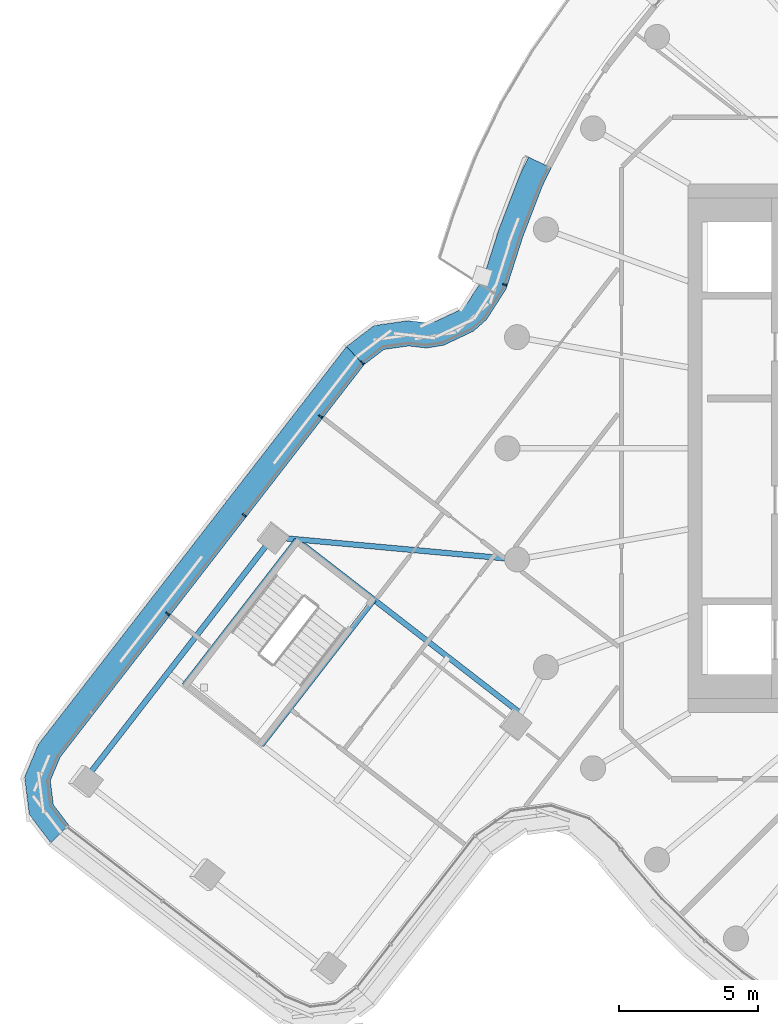
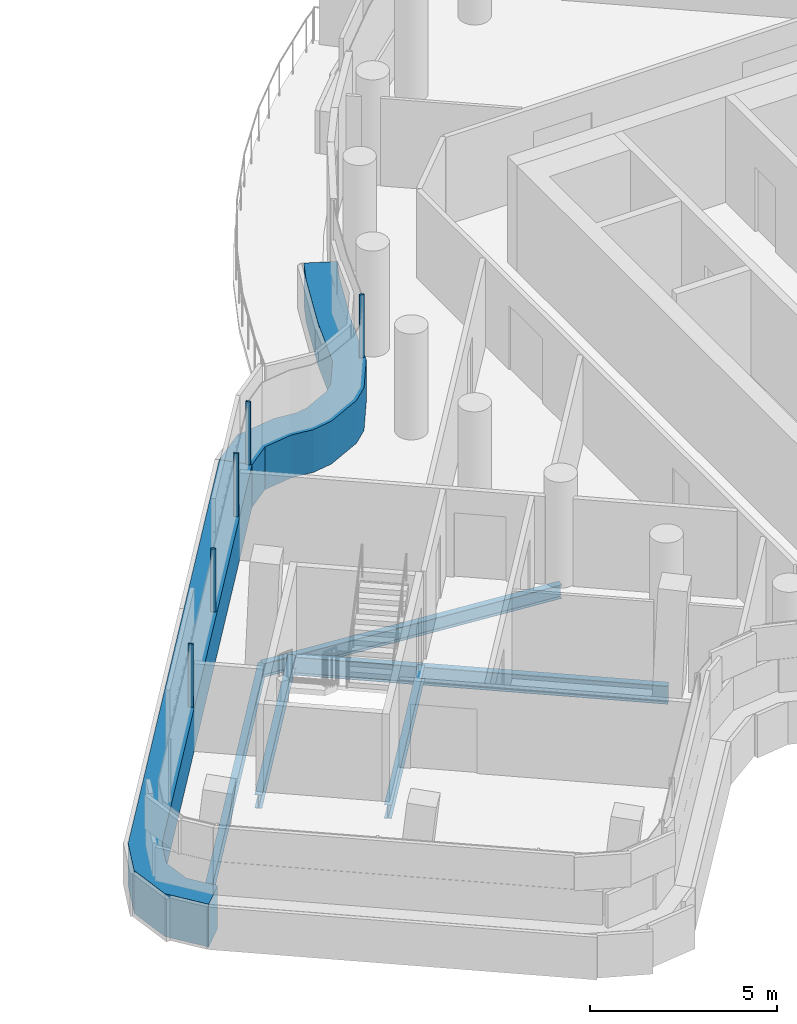
# One storey, part 4 of 26: 7 members, 5 beams, 2 elements without a shape of their own.
"""IFC4 building model written with IfcOpenShell, lengths in metres."""

from ifc_helpers import new_model, si_unit, direction, frame, origin, origin_2d, place, context, subcontext, project, spatial, polyline, rectangle, i_section, outline, extrude, material, layer, layer_set, material_profile, profile_set, type_object, element, aggregate, save


model = new_model("IFC4")

# Units and contexts
model_context = context("Model", 3, precision=1e-05, world=origin(), true_north=direction((0.0, 1.0)))
body_context = subcontext(model_context, "Body", "Model", "MODEL_VIEW")
ifc_project = project(units=[si_unit("LENGTHUNIT", "METRE"), si_unit("AREAUNIT", "SQUARE_METRE"), si_unit("VOLUMEUNIT", "CUBIC_METRE"), si_unit("PLANEANGLEUNIT", "RADIAN"), si_unit("MASSUNIT", "GRAM", prefix="KILO")], contexts=[model_context])

# Site, building, storey
site_placement = place(None, origin())
site = spatial("IfcSite", under=ifc_project, at=site_placement, CompositionType="ELEMENT")
building_placement = place(site_placement, origin())
building = spatial("IfcBuilding", under=site, at=building_placement, Name="Tamarind Cross Interchange Tower", CompositionType="ELEMENT")
storey_placement = place(building_placement, frame((0.0, 0.0, 223.5)))
storey = spatial("IfcBuildingStorey", under=building, at=storey_placement, Name="L56", CompositionType="ELEMENT", Elevation=223.5)

# Beams
ifc_material_1 = material(Name="Steel Q355B", Category="steel")
ifc_material_profile_1 = material_profile(ifc_material_1, i_section(OverallWidth=0.198974609375, OverallDepth=0.446044921875, WebThickness=0.008056640625, FlangeThickness=0.011962890625, FilletRadius=0.012939453125, at=origin_2d()), Name="HN 446x199x8x12")
ifc_profile_set_1 = profile_set([ifc_material_profile_1], Name="Steel Q355B")
beam_type_1 = type_object("IfcBeamType", Name="Composite beam HN 446x199x8x12 Q355B", PredefinedType="BEAM", material=ifc_profile_set_1)
beam_1_placement = place(storey_placement, frame((-38.221923828125, -11.961669921875, -0.363037109375), z_axis=(0.612357436185, 0.790581033386, 0.0), x_axis=(-0.790581033386, 0.612357436185, 0.0)))
element("IfcBeam", 1, at=beam_1_placement, inside=storey, type_object=beam_type_1, Name="Beam W-edgeem4", PredefinedType="BEAM", context=body_context, shape_type="SweptSolid", body=[
    extrude(i_section(OverallWidth=0.198974609375, OverallDepth=0.446044921875, WebThickness=0.008056640625, FlangeThickness=0.011962890625, FilletRadius=0.012939453125, at=origin_2d()), origin(), (0.0, 0.0, 1.0), 11.09033203125),
])
beam_2_placement = place(storey_placement, frame((-31.4306640625, -3.19384765625, -0.363037109375), z_axis=(0.995874118015, -0.090745474091, 0.0), x_axis=(0.090745474091, 0.995874118015, 0.0)))
element("IfcBeam", 2, at=beam_2_placement, inside=storey, type_object=beam_type_1, Name="Beam W-linkem", PredefinedType="BEAM", context=body_context, shape_type="SweptSolid", body=[
    extrude(i_section(OverallWidth=0.198974609375, OverallDepth=0.446044921875, WebThickness=0.008056640625, FlangeThickness=0.011962890625, FilletRadius=0.012939453125, at=origin_2d()), origin(), (0.0, 0.0, 1.0), 8.81640625),
])
for number, where, z_axis, x_axis, name in (
    (3, (-30.562255859375, -3.29736328125, -0.363037109375), (-0.612356713855, -0.790581592878, 0.0), (0.790581592878, -0.612356713855, 0.0), "Beam W-tr0"),
    (4, (-27.795166015625, -5.440673828125, -0.363037109375), (-0.612356713855, -0.790581592878, 0.0), (0.790581592878, -0.612356713855, 0.0), "Beam W-tr1"),
):
    element("IfcBeam", number, at=place(storey_placement, frame(where, z_axis=z_axis, x_axis=x_axis)), inside=storey, type_object=beam_type_1, Name=name, PredefinedType="BEAM", context=body_context, shape_type="SweptSolid", body=[
        extrude(i_section(OverallWidth=0.198974609375, OverallDepth=0.446044921875, WebThickness=0.008056640625, FlangeThickness=0.011962890625, FilletRadius=0.012939453125, at=origin_2d()), origin(), (0.0, 0.0, 1.0), 6.599853515625),
    ])
ifc_material_profile_2 = material_profile(ifc_material_1, i_section(OverallWidth=0.198974609375, OverallDepth=0.595947265625, WebThickness=0.010009765625, FlangeThickness=0.014892578125, FilletRadius=0.012939453125, at=origin_2d()), Name="HN 596x199x10x15")
ifc_profile_set_2 = profile_set([ifc_material_profile_2], Name="Steel Q355B")
beam_type_2 = type_object("IfcBeamType", Name="Composite beam HN 596x199x10x15 Q355B", PredefinedType="BEAM", material=ifc_profile_set_2)
beam_3_placement = place(storey_placement, frame((-30.597900390625, -3.269775390625, -0.43798828125), z_axis=(0.790580102915, -0.612358637462, 0.0), x_axis=(0.612358637462, 0.790580102915, 0.0)))
element("IfcBeam", 5, at=beam_3_placement, inside=storey, type_object=beam_type_2, Name="Beam W-x298", PredefinedType="BEAM", context=body_context, shape_type="SweptSolid", body=[
    extrude(i_section(OverallWidth=0.198974609375, OverallDepth=0.595947265625, WebThickness=0.010009765625, FlangeThickness=0.014892578125, FilletRadius=0.012939453125, at=origin_2d()), origin(), (0.0, 0.0, 1.0), 10.221923828125),
])

# Curtain wall, member
ifc_material_2 = material(Name="Aluminium 6063-T6", Category="aluminium")
ifc_layer = layer(ifc_material_2, 0.139892578125)
ifc_layer_set = layer_set([ifc_layer], Name="Aluminium 6063-T6")
curtain_wall_type = type_object("IfcCurtainWallType", Name="Hotel curtain wall, 4.5 m bays", PredefinedType="NOTDEFINED", material=ifc_layer_set)
curtain_wall_1_placement = place(storey_placement, origin())
curtain_wall_1 = element("IfcCurtainWall", 6, at=curtain_wall_1_placement, inside=storey, type_object=curtain_wall_type, Name="CWS-L56-06", PredefinedType="NOTDEFINED")
ifc_material_3 = material(Name="Aluminium and insulated spandrel panel", Category="aluminium")
member_type_1 = type_object("IfcMemberType", Name="Floor-edge blade transom", PredefinedType="USERDEFINED", material=ifc_material_3)
member_1_placement = place(storey_placement, origin())
member_1 = element("IfcMember", 7, at=member_1_placement, type_object=member_type_1, Name="CWT-L56-06-1", ObjectType="TRANSOM", PredefinedType="USERDEFINED", context=body_context, shape_type="SweptSolid", body=[
    extrude(outline(polyline([(-21.423095703125, 10.08154296875), (-21.74072265625, 9.425048828125), (-22.446044921875, 7.593994140625), (-23.041748046875, 5.73095703125), (-23.751220703125, 4.6220703125), (-24.220947265625, 4.20849609375), (-25.28564453125, 3.704345703125), (-25.9033203125, 3.603271484375), (-26.54150390625, 3.678466796875), (-27.432861328125, 3.55322265625), (-28.14697265625, 3.005126953125), (-28.787353515625, 3.6484375), (-27.79296875, 4.411376953125), (-26.5517578125, 4.5859375), (-25.923828125, 4.511962890625), (-25.55615234375, 4.572021484375), (-24.720458984375, 4.9677734375), (-24.44091796875, 5.2138671875), (-23.863037109375, 6.116943359375), (-23.295166015625, 7.89306640625), (-22.567138671875, 9.783203125), (-22.237548828125, 10.46484375), (-21.423095703125, 10.08154296875)])), origin(), (0.0, 0.0, 1.0), 1.39990234375),
])

curtain_wall_2_placement = place(storey_placement, origin())
curtain_wall_2 = element("IfcCurtainWall", 8, at=curtain_wall_2_placement, inside=storey, type_object=curtain_wall_type, Name="CWS-L56-07", PredefinedType="NOTDEFINED")
member_2_placement = place(storey_placement, origin())
member_2 = element("IfcMember", 9, at=member_2_placement, type_object=member_type_1, Name="CWT-L56-07", ObjectType="TRANSOM", PredefinedType="USERDEFINED", context=body_context, shape_type="SweptSolid", body=[
    extrude(outline(polyline([(-28.14697265625, 3.005126953125), (-39.072998046875, -11.100830078125), (-39.427001953125, -11.94482421875), (-39.31689453125, -12.8125), (-38.762939453125, -13.541259765625), (-39.40771484375, -14.18017578125), (-40.179443359375, -13.1650390625), (-40.350341796875, -11.819091796875), (-39.85693359375, -10.643310546875), (-28.787353515625, 3.6484375), (-28.14697265625, 3.005126953125)])), origin(), (0.0, 0.0, 1.0), 1.39990234375),
])

# Member
ifc_material_profile_3 = material_profile(ifc_material_2, rectangle(XDim=0.06005859375, YDim=0.139892578125, at=origin_2d()), Name="Mullion CW2")
ifc_profile_set_3 = profile_set([ifc_material_profile_3], Name="Aluminium 6063-T6")
member_type_2 = type_object("IfcMemberType", Name="Mullion CW2", PredefinedType="MULLION", material=ifc_profile_set_3)
member_3_placement = place(storey_placement, frame((-23.09814453125, 5.882568359375, 1.39990234375), z_axis=(0.0, 0.0, 1.0), x_axis=(-0.304537944842, -0.952500204804, 0.0)))
member_3 = element("IfcMember", 10, at=member_3_placement, type_object=member_type_2, Name="CWM-L56-06-04", PredefinedType="MULLION", context=body_context, shape_type="SweptSolid", body=[
    extrude(rectangle(XDim=0.06005859375, YDim=0.139892578125, at=origin_2d()), origin(), (0.0, 0.0, 1.0), 2.06005859375),
])

aggregate(curtain_wall_1, [member_3, member_1])

member_4_placement = place(storey_placement, frame((-28.21826171875, 3.07666015625, 1.39990234375), z_axis=(0.0, 0.0, 1.0), x_axis=(-0.708724455542, -0.705485397522, 0.0)))
member_4 = element("IfcMember", 11, at=member_4_placement, type_object=member_type_2, Name="CWM-L56-07-00", PredefinedType="MULLION", context=body_context, shape_type="SweptSolid", body=[
    extrude(rectangle(XDim=0.06005859375, YDim=0.139892578125, at=origin_2d()), origin(), (0.0, 0.0, 1.0), 2.06005859375),
])

member_5_placement = place(storey_placement, frame((-29.71435546875, 1.14501953125, 1.39990234375), z_axis=(0.0, 0.0, 1.0), x_axis=(-0.612355272073, -0.790582709629, 0.0)))
member_5 = element("IfcMember", 12, at=member_5_placement, type_object=member_type_2, Name="CWM-L56-07-01", PredefinedType="MULLION", context=body_context, shape_type="SweptSolid", body=[
    extrude(rectangle(XDim=0.06005859375, YDim=0.139892578125, at=origin_2d()), origin(), (0.0, 0.0, 1.0), 2.06005859375),
])

member_6_placement = place(storey_placement, frame((-32.4619140625, -2.40234375, 1.39990234375), z_axis=(0.0, 0.0, 1.0), x_axis=(-0.612355272073, -0.790582709629, 0.0)))
member_6 = element("IfcMember", 13, at=member_6_placement, type_object=member_type_2, Name="CWM-L56-07-02", PredefinedType="MULLION", context=body_context, shape_type="SweptSolid", body=[
    extrude(rectangle(XDim=0.06005859375, YDim=0.139892578125, at=origin_2d()), origin(), (0.0, 0.0, 1.0), 2.06005859375),
])

member_7_placement = place(storey_placement, frame((-35.20947265625, -5.949462890625, 1.39990234375), z_axis=(0.0, 0.0, 1.0), x_axis=(-0.612355272073, -0.790582709629, 0.0)))
member_7 = element("IfcMember", 14, at=member_7_placement, type_object=member_type_2, Name="CWM-L56-07-03", PredefinedType="MULLION", context=body_context, shape_type="SweptSolid", body=[
    extrude(rectangle(XDim=0.06005859375, YDim=0.139892578125, at=origin_2d()), origin(), (0.0, 0.0, 1.0), 2.06005859375),
])

aggregate(curtain_wall_2, [member_4, member_5, member_6, member_7, member_2])

save(model, "model.ifc")
